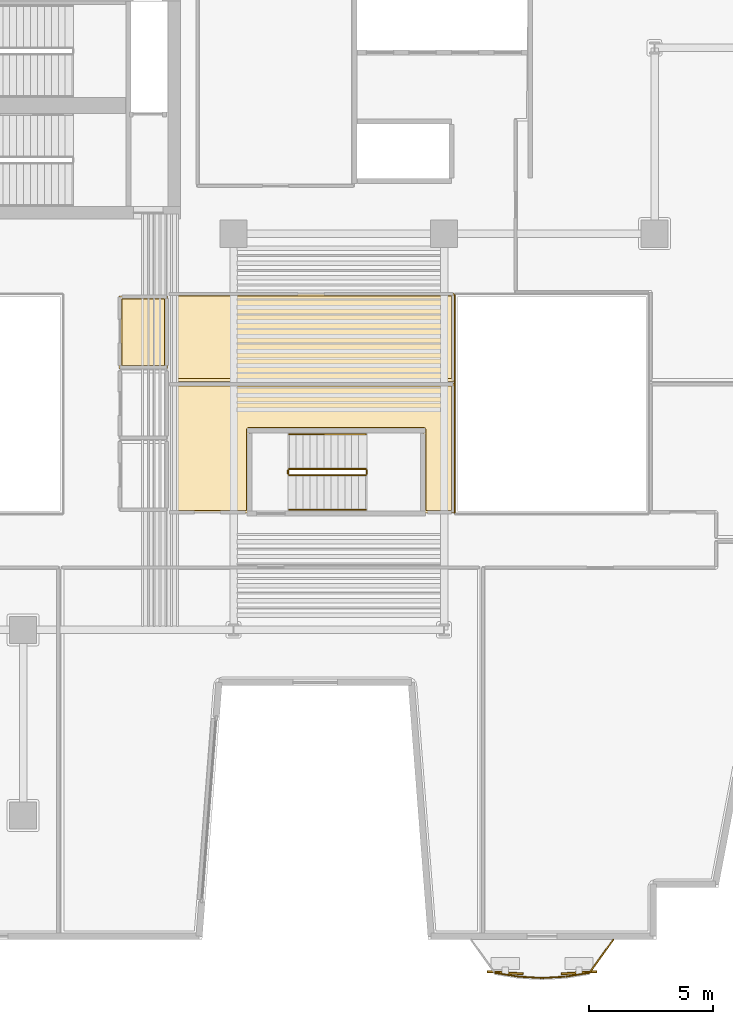
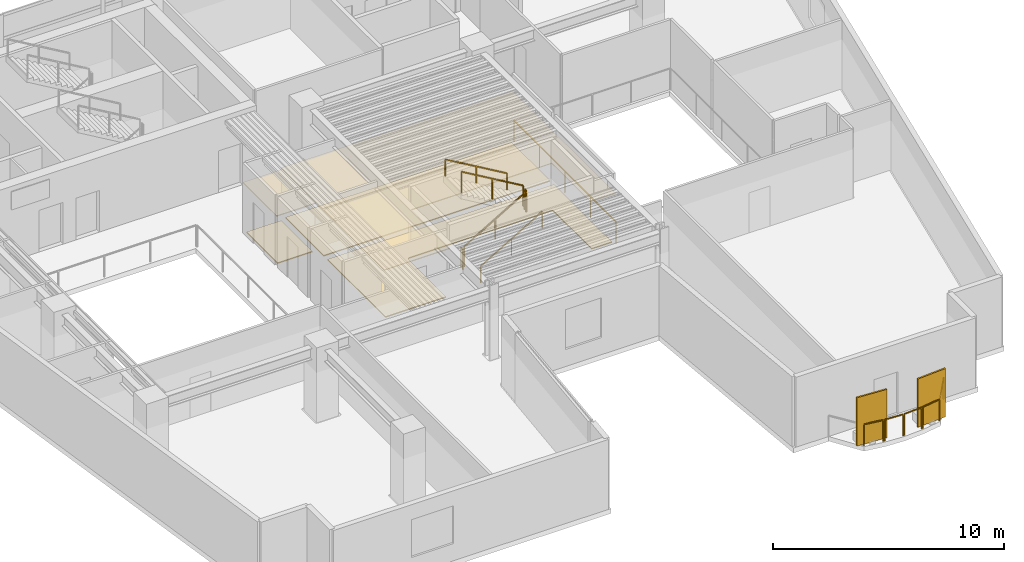
# One storey, part 10 of 13: 12 railings, 6 coverings, 2 shading devices.
"""IFC4 building model written with IfcOpenShell, lengths in metres."""

import ifcopenshell
import ifcopenshell.guid

model = None  # the IFC model being written
_history = None  # IfcOwnerHistory: only IFC2X3 demands one
_inside = {}  # id of a spatial element -> (the spatial element, [elements in it])
_under = {}  # id of a project, library or spatial element -> (it, [spatial elements below it])
_declared = {}  # id of a project -> (the project, [libraries it declares])
_typed = {}  # id of a type object -> (the type object, [elements of that type])
_made_of = {}  # id of a material, layer set ... -> (it, [elements and type objects made of it])


def new_model(schema):
    """Start an empty IFC model of exactly this schema.

    Asked for "IFC4X3", IfcOpenShell would pick the latest addendum, in which some entities
    have other attributes; the version numbers below select the first issue.
    IFC2X3 requires an IfcOwnerHistory on every rooted entity: one is made here for all.
    """
    global model, _history
    if schema == "IFC4X3":
        model = ifcopenshell.file(schema_version=(4, 3, 0, 0))
    else:
        model = ifcopenshell.file(schema=schema)
    _inside.clear()
    _under.clear()
    _declared.clear()
    _typed.clear()
    _made_of.clear()
    _history = None
    if model.schema == "IFC2X3":
        org = make("IfcOrganization", Name="unknown")
        user = make(
            "IfcPersonAndOrganization",
            ThePerson=make("IfcPerson", FamilyName="unknown"),
            TheOrganization=org,
        )
        app = make(
            "IfcApplication",
            ApplicationDeveloper=org,
            Version="unknown",
            ApplicationFullName="unknown",
            ApplicationIdentifier="unknown",
        )
        _history = make(
            "IfcOwnerHistory",
            OwningUser=user,
            OwningApplication=app,
            ChangeAction="ADDED",
            CreationDate=0,
        )
    return model


def make(cls, **values):
    """One entity of the class cls with the attributes given. An attribute that is None is left unset."""
    return model.create_entity(
        cls, **{name: value for name, value in values.items() if value is not None}
    )


def rooted(cls, **values):
    """An entity with a GlobalId (a new one), such as an element, a storey or a relation."""
    return make(cls, GlobalId=ifcopenshell.guid.new(), OwnerHistory=_history, **values)


def si_unit(unit_type, name, prefix=None):
    """IfcSIUnit, for example si_unit("LENGTHUNIT", "METRE", prefix="MILLI")."""
    return make("IfcSIUnit", UnitType=unit_type, Prefix=prefix, Name=name)


def assignment(units):
    """IfcUnitAssignment: the units of a project."""
    return None if units is None else make("IfcUnitAssignment", Units=units)


def point(xyz):
    """IfcCartesianPoint."""
    return None if xyz is None else make("IfcCartesianPoint", Coordinates=xyz)


def direction(xyz):
    """IfcDirection."""
    return None if xyz is None else make("IfcDirection", DirectionRatios=xyz)


def frame(location, z_axis=None, x_axis=None):
    """IfcAxis2Placement3D, a coordinate frame: its origin and axes. An axis left out is left unset."""
    return make(
        "IfcAxis2Placement3D",
        Location=point(location),
        Axis=direction(z_axis),
        RefDirection=direction(x_axis),
    )


def frame_2d(location, x_axis=None):
    """IfcAxis2Placement2D, a coordinate frame in the plane: its origin and x axis."""
    return make(
        "IfcAxis2Placement2D", Location=point(location), RefDirection=direction(x_axis)
    )


def origin():
    """The frame at (0, 0, 0) with its axes left unset."""
    return frame((0.0, 0.0, 0.0))


def origin_2d():
    """The frame at (0, 0) in the plane with its x axis left unset."""
    return frame_2d((0.0, 0.0))


def place(relative_to, where):
    """IfcLocalPlacement: puts the frame where relative to a parent placement (None: the world)."""
    return make(
        "IfcLocalPlacement", PlacementRelTo=relative_to, RelativePlacement=where
    )


def context(
    kind, dimensions, precision=None, world=None, true_north=None, identifier=None
):
    """IfcGeometricRepresentationContext, for example the 3D "Model" context."""
    return make(
        "IfcGeometricRepresentationContext",
        ContextIdentifier=identifier,
        ContextType=kind,
        CoordinateSpaceDimension=dimensions,
        Precision=precision,
        WorldCoordinateSystem=world,
        TrueNorth=true_north,
    )


def subcontext(parent, identifier, kind, view, scale=None):
    """IfcGeometricRepresentationSubContext, for example "Body" below "Model"."""
    return make(
        "IfcGeometricRepresentationSubContext",
        ContextIdentifier=identifier,
        ContextType=kind,
        ParentContext=parent,
        TargetScale=scale,
        TargetView=view,
    )


def project(units=None, contexts=None):
    """IfcProject with its units and contexts."""
    return rooted(
        "IfcProject",
        Name="project",
        RepresentationContexts=contexts,
        UnitsInContext=assignment(units),
    )


def spatial(cls, under=None, at=None, **own):
    """A site, building, storey or space (cls), placed at a placement, below another one or the project."""
    s = rooted(cls, ObjectPlacement=at, **own)
    if under is not None:
        _under.setdefault(under.id(), (under, []))[1].append(s)
    return s


def polyline(points):
    """IfcPolyline through the points."""
    return make("IfcPolyline", Points=[point(p) for p in points])


def profile(cls, at=None, kind="AREA", **sizes):
    """A parametric profile (cls). Its sizes go by their IFC names, for example OverallWidth=200.0."""
    return make(cls, ProfileType=kind, Position=at, **sizes)


def rectangle(**sizes):
    """IfcRectangleProfileDef."""
    return profile("IfcRectangleProfileDef", **sizes)


def outline(outer, holes=None, kind="AREA"):
    """IfcArbitraryClosedProfileDef: a profile drawn as a closed curve; with holes, ...WithVoids."""
    if holes is None:
        return make("IfcArbitraryClosedProfileDef", ProfileType=kind, OuterCurve=outer)
    return make(
        "IfcArbitraryProfileDefWithVoids",
        ProfileType=kind,
        OuterCurve=outer,
        InnerCurves=holes,
    )


def extrude(swept, where, along, depth):
    """IfcExtrudedAreaSolid: the profile swept, set in the frame where, extruded along a direction by depth."""
    return make(
        "IfcExtrudedAreaSolid",
        SweptArea=swept,
        Position=where,
        ExtrudedDirection=direction(along),
        Depth=depth,
    )


def shape(context_of_items, identifier, shape_type, items):
    """IfcShapeRepresentation: the items that make up one representation, for example the "Body"."""
    return make(
        "IfcShapeRepresentation",
        ContextOfItems=context_of_items,
        RepresentationIdentifier=identifier,
        RepresentationType=shape_type,
        Items=items,
    )


def material(Name=None, Category=None):
    """IfcMaterial."""
    return make("IfcMaterial", Name=Name, Category=Category)


def layer(
    of_material, thickness, ventilated=None, Name=None, Category=None, Priority=None
):
    """IfcMaterialLayer: one layer of a wall or slab, of a material (None: an air gap)."""
    return make(
        "IfcMaterialLayer",
        Material=of_material,
        LayerThickness=thickness,
        IsVentilated=ventilated,
        Name=Name,
        Category=Category,
        Priority=Priority,
    )


def layer_set(layers, Name=None):
    """IfcMaterialLayerSet."""
    return make("IfcMaterialLayerSet", MaterialLayers=layers, LayerSetName=Name)


def made_of(thing, what):
    """Note that an element or type object is made of a material, layer set ...; save() writes the relation."""
    if what is not None:
        _made_of.setdefault(what.id(), (what, []))[1].append(thing)
    return thing


def type_object(cls, material=None, **own):
    """A type object (cls), such as IfcWallType, which elements share."""
    return made_of(rooted(cls, **own), material)


def element(
    cls,
    number,
    at=None,
    inside=None,
    cuts=None,
    type_object=None,
    material=None,
    context=None,
    identifier="Body",
    shape_type=None,
    held_by="IfcProductDefinitionShape",
    body=None,
    shapes=None,
    **own,
):
    """One element of the class cls, such as IfcWall. Its Tag is "e" and its number.

    at: its placement. inside: the storey or other place that contains it. cuts: it is an
    opening in that element (IfcRelVoidsElement). A single representation is given by context,
    identifier, shape_type and body (its items); several are given by shapes. held_by: the class
    of the entity that holds the representations. save() writes the other relations.
    """
    e = rooted(cls, Tag="e%d" % number, ObjectPlacement=at, **own)
    if body is not None:
        shapes = [shape(context, identifier, shape_type, body)]
    if shapes is not None:
        e.Representation = make(held_by, Representations=shapes)
    if inside is not None:
        _inside.setdefault(inside.id(), (inside, []))[1].append(e)
    if cuts is not None:
        rooted(
            "IfcRelVoidsElement", RelatingBuildingElement=cuts, RelatedOpeningElement=e
        )
    if type_object is not None:
        _typed.setdefault(type_object.id(), (type_object, []))[1].append(e)
    return made_of(e, material)


def aggregate(whole, parts):
    """IfcRelAggregates: a whole, such as a stair, and the parts it consists of."""
    return rooted("IfcRelAggregates", RelatingObject=whole, RelatedObjects=parts)


def save(model, path):
    """Write the relations noted so far, then the file.

    IfcRelAggregates (storeys below a building ...), IfcRelContainedInSpatialStructure (elements
    in a storey), IfcRelDefinesByType, IfcRelAssociatesMaterial and IfcRelDeclares: one each for
    every whole, place, type object, material and project.
    """
    for whole, parts in _under.values():
        aggregate(whole, parts)
    for where, things in _inside.values():
        rooted(
            "IfcRelContainedInSpatialStructure",
            RelatedElements=things,
            RelatingStructure=where,
        )
    for kind, things in _typed.values():
        rooted("IfcRelDefinesByType", RelatedObjects=things, RelatingType=kind)
    for what, things in _made_of.values():
        rooted("IfcRelAssociatesMaterial", RelatedObjects=things, RelatingMaterial=what)
    for by, libraries in _declared.values():
        rooted("IfcRelDeclares", RelatingContext=by, RelatedDefinitions=libraries)
    model.write(path)


model = new_model("IFC4")

# Units and contexts
model_context = context("Model", 3, precision=1e-05, world=origin(), true_north=direction((0.0, 1.0)))
body_context = subcontext(model_context, "Body", "Model", "MODEL_VIEW")
ifc_project = project(units=[si_unit("LENGTHUNIT", "METRE"), si_unit("AREAUNIT", "SQUARE_METRE"), si_unit("VOLUMEUNIT", "CUBIC_METRE"), si_unit("PLANEANGLEUNIT", "RADIAN"), si_unit("MASSUNIT", "GRAM", prefix="KILO")], contexts=[model_context])

# Site, building, storey
site_placement = place(None, origin())
site = spatial("IfcSite", under=ifc_project, at=site_placement, CompositionType="ELEMENT")
building_placement = place(site_placement, origin())
building = spatial("IfcBuilding", under=site, at=building_placement, Name="Caeloran Harvest Quay", CompositionType="ELEMENT")
storey_placement = place(building_placement, frame((0.0, 0.0, 143.0)))
storey = spatial("IfcBuildingStorey", under=building, at=storey_placement, Name="L33", CompositionType="ELEMENT", Elevation=143.0)

# Coverings
ifc_material_1 = material(Name="Perforated Mineral-Fibre Acoustic Ceiling Tile", Category="ceiling")
ifc_layer_1 = layer(ifc_material_1, 0.0400390625, Name="Perforated Mineral-Fibre Acoustic Ceiling Tile")
ifc_layer_set_1 = layer_set([ifc_layer_1], Name="Perforated Mineral-Fibre Acoustic Ceiling Tile")
covering_type_1 = type_object("IfcCoveringType", Name="COV-CEILING-ACOUSTIC", PredefinedType="CEILING", material=ifc_layer_set_1)
covering_1_placement = place(storey_placement, frame((0.0, 0.0, 2.60009765625)))
element("IfcCovering", 1, at=covering_1_placement, inside=storey, type_object=covering_type_1, Name="L33 Male Washroom WC Acoustic Ceiling", PredefinedType="CEILING", context=body_context, shape_type="SweptSolid", body=[
    extrude(outline(polyline([(22.840087890625, 25.56005859375), (20.8701171875, 25.56005859375), (20.8701171875, 28.489990234375), (22.840087890625, 28.489990234375), (22.840087890625, 25.56005859375)])), origin(), (0.0, 0.0, 1.0), 0.039794921875),
])
covering_2_placement = place(storey_placement, frame((0.0, 0.0, 2.60009765625)))
element("IfcCovering", 2, at=covering_2_placement, inside=storey, type_object=covering_type_1, Name="Sensory Tasting Kitchen Acoustic Ceiling", PredefinedType="CEILING", context=body_context, shape_type="SweptSolid", body=[
    extrude(outline(polyline([(26.139892578125, 23.06005859375), (26.139892578125, 19.7099609375), (22.8701171875, 19.7099609375), (22.8701171875, 24.9599609375), (34.409912109375, 24.9599609375), (34.409912109375, 19.7099609375), (33.159912109375, 19.7099609375), (33.159912109375, 23.06005859375), (26.139892578125, 23.06005859375)])), origin(), (0.0, 0.0, 1.0), 0.039794921875),
])
covering_3_placement = place(storey_placement, frame((0.0, 0.0, 2.60009765625)))
element("IfcCovering", 3, at=covering_3_placement, inside=storey, type_object=covering_type_1, Name="Staff Wellness Lounge Acoustic Ceiling", PredefinedType="CEILING", context=body_context, shape_type="SweptSolid", body=[
    extrude(outline(polyline([(22.8701171875, 28.512939453125), (22.85009765625, 28.52001953125), (22.85009765625, 28.610107421875), (34.409912109375, 28.610107421875), (34.409912109375, 25.0400390625), (22.8701171875, 25.0400390625), (22.8701171875, 28.512939453125)])), origin(), (0.0, 0.0, 1.0), 0.039794921875),
])
ifc_material_2 = material(Name="Calcium-Sulphate Raised Access Floor and Terrazzo Finish", Category="flooring")
ifc_layer_2 = layer(ifc_material_2, 0.050048828125, Name="Calcium-Sulphate Raised Access Floor and Terrazzo Finish")
ifc_layer_set_2 = layer_set([ifc_layer_2], Name="Calcium-Sulphate Raised Access Floor and Terrazzo Finish")
covering_type_2 = type_object("IfcCoveringType", Name="COV-FLOOR-RAISED", PredefinedType="FLOORING", material=ifc_layer_set_2)
covering_4_placement = place(storey_placement, origin())
element("IfcCovering", 4, at=covering_4_placement, inside=storey, type_object=covering_type_2, Name="L33 Male Washroom WC Raised Finish Flooring", PredefinedType="FLOORING", context=body_context, shape_type="SweptSolid", body=[
    extrude(outline(polyline([(22.719970703125, 25.679931640625), (20.989990234375, 25.679931640625), (20.989990234375, 28.3701171875), (22.719970703125, 28.3701171875), (22.719970703125, 25.679931640625)])), origin(), (0.0, 0.0, 1.0), 0.050048828125),
])
covering_5_placement = place(storey_placement, origin())
element("IfcCovering", 5, at=covering_5_placement, inside=storey, type_object=covering_type_2, Name="Sensory Tasting Kitchen Raised Finish Flooring", PredefinedType="FLOORING", context=body_context, shape_type="SweptSolid", body=[
    extrude(outline(polyline([(33.27978515625, 23.076904296875), (33.244873046875, 23.150390625), (33.169921875, 23.179931640625), (26.09423828125, 23.174072265625), (26.040771484375, 23.13427734375), (26.02001953125, 23.070068359375), (26.02001953125, 19.830078125), (22.989990234375, 19.830078125), (22.989990234375, 24.840087890625), (34.2900390625, 24.840087890625), (34.2900390625, 19.830078125), (33.280029296875, 19.830078125), (33.27978515625, 23.076904296875)])), origin(), (0.0, 0.0, 1.0), 0.050048828125),
])
covering_6_placement = place(storey_placement, origin())
element("IfcCovering", 6, at=covering_6_placement, inside=storey, type_object=covering_type_2, Name="Staff Wellness Lounge Raised Finish Flooring", PredefinedType="FLOORING", context=body_context, shape_type="SweptSolid", body=[
    extrude(outline(polyline([(22.989990234375, 28.489990234375), (34.2900390625, 28.489990234375), (34.2900390625, 25.159912109375), (22.989990234375, 25.159912109375), (22.989990234375, 28.489990234375)])), origin(), (0.0, 0.0, 1.0), 0.050048828125),
])

# Railings
ifc_material_3 = material(Name="Powder-Coated Steel Post and Laminated Glass Guardrail", Category="steel")
ifc_layer_3 = layer(ifc_material_3, 0.06005859375, Name="Powder-Coated Steel Post and Laminated Glass Guardrail")
ifc_layer_set_3 = layer_set([ifc_layer_3], Name="Powder-Coated Steel Post and Laminated Glass Guardrail")
railing_type_1 = type_object("IfcRailingType", Name="GUARD-ATRIUM-1150", PredefinedType="GUARDRAIL", material=ifc_layer_set_3)
railing_1_placement = place(storey_placement, frame((34.429931640625, 28.5380859375, 0.0)))
element("IfcRailing", 7, at=railing_1_placement, inside=storey, type_object=railing_type_1, Name="L33 East Botanical Lightwell Guardrail Seg 4", PredefinedType="GUARDRAIL", context=body_context, shape_type="SweptSolid", body=[
    extrude(rectangle(XDim=0.048095703125, YDim=0.048095703125, at=origin_2d()), frame((0.0, 0.0, 1.1259765625), z_axis=(0.0, -1.0, 0.0), x_axis=(1.0, 0.0, 0.0)), (0.0, 0.0, 1.0), 8.826171875),
    extrude(rectangle(XDim=0.0419921875, YDim=0.0419921875, at=origin_2d()), origin(), (0.0, 0.0, 1.0), 1.101806640625),
    extrude(rectangle(XDim=0.0419921875, YDim=0.0419921875, at=origin_2d()), frame((0.0, -2.20654296875, 0.0)), (0.0, 0.0, 1.0), 1.101806640625),
    extrude(rectangle(XDim=0.0419921875, YDim=0.0419921875, at=origin_2d()), frame((0.0, -4.4130859375, 0.0)), (0.0, 0.0, 1.0), 1.101806640625),
    extrude(rectangle(XDim=0.0419921875, YDim=0.0419921875, at=origin_2d()), frame((0.0, -6.61962890625, 0.0)), (0.0, 0.0, 1.0), 1.101806640625),
    extrude(rectangle(XDim=0.0419921875, YDim=0.0419921875, at=origin_2d()), frame((0.0, -8.826171875, 0.0)), (0.0, 0.0, 1.0), 1.101806640625),
])
ifc_material_4 = material(Name="Laminated Safety Glass and Stainless Steel 316", Category="steel")
ifc_layer_4 = layer(ifc_material_4, 0.06005859375, Name="Laminated Safety Glass and Stainless Steel 316")
ifc_layer_set_4 = layer_set([ifc_layer_4], Name="Laminated Safety Glass and Stainless Steel 316")
railing_type_2 = type_object("IfcRailingType", Name="GUARD-BALUSTRADE-1150", PredefinedType="BALUSTRADE", material=ifc_layer_set_4)
railing_2_placement = place(storey_placement, frame((40.825927734375, 2.47998046875, 0.0)))
element("IfcRailing", 8, at=railing_2_placement, inside=storey, type_object=railing_type_2, Name="L33 Planted Balcony Perimeter Balustrade Guard Seg 1", PredefinedType="BALUSTRADE", context=body_context, shape_type="SweptSolid", body=[
    extrude(rectangle(XDim=0.048095703125, YDim=0.048095703125, at=origin_2d()), frame((0.0, 0.0, 1.1259765625), z_axis=(-0.583896070669, -0.811828417005, 0.0), x_axis=(0.811828417005, -0.583896070669, 0.0)), (0.0, 0.0, 1.0), 1.605712890625),
    extrude(rectangle(XDim=0.0419921875, YDim=0.0419921875, at=origin_2d()), origin(), (0.0, 0.0, 1.0), 1.101806640625),
    extrude(rectangle(XDim=0.0419921875, YDim=0.0419921875, at=origin_2d()), frame((-0.9375, -1.303466796875, 0.0)), (0.0, 0.0, 1.0), 1.101806640625),
])
railing_3_placement = place(storey_placement, frame((39.838134765625, 1.1455078125, 0.0)))
element("IfcRailing", 9, at=railing_3_placement, inside=storey, type_object=railing_type_2, Name="L33 Planted Balcony Perimeter Balustrade Guard Seg 2", PredefinedType="BALUSTRADE", context=body_context, shape_type="SweptSolid", body=[
    extrude(rectangle(XDim=0.048095703125, YDim=0.048095703125, at=origin_2d()), frame((0.0, 0.0, 1.1259765625), z_axis=(-0.987361321421, -0.158485396684, 0.0), x_axis=(0.158485396684, -0.987361321421, 0.0)), (0.0, 0.0, 1.0), 0.904296875),
    extrude(rectangle(XDim=0.0419921875, YDim=0.0419921875, at=origin_2d()), origin(), (0.0, 0.0, 1.0), 1.101806640625),
    extrude(rectangle(XDim=0.0419921875, YDim=0.0419921875, at=origin_2d()), frame((-0.892822265625, -0.143310546875, 0.0)), (0.0, 0.0, 1.0), 1.101806640625),
])
railing_4_placement = place(storey_placement, frame((38.8818359375, 0.9951171875, 0.0)))
element("IfcRailing", 10, at=railing_4_placement, inside=storey, type_object=railing_type_2, Name="L33 Planted Balcony Perimeter Balustrade Guard Seg 3", PredefinedType="BALUSTRADE", context=body_context, shape_type="SweptSolid", body=[
    extrude(rectangle(XDim=0.048095703125, YDim=0.048095703125, at=origin_2d()), frame((0.0, 0.0, 1.1259765625), z_axis=(-0.99829034714, -0.058449831543, 0.0), x_axis=(0.058449831543, -0.99829034714, 0.0)), (0.0, 0.0, 1.0), 0.893798828125),
    extrude(rectangle(XDim=0.0419921875, YDim=0.0419921875, at=origin_2d()), origin(), (0.0, 0.0, 1.0), 1.101806640625),
    extrude(rectangle(XDim=0.0419921875, YDim=0.0419921875, at=origin_2d()), frame((-0.892333984375, -0.05224609375, 0.0)), (0.0, 0.0, 1.0), 1.101806640625),
])
railing_5_placement = place(storey_placement, frame((37.925537109375, 0.94287109375, 0.0)))
element("IfcRailing", 11, at=railing_5_placement, inside=storey, type_object=railing_type_2, Name="L33 Planted Balcony Perimeter Balustrade Guard Seg 4", PredefinedType="BALUSTRADE", context=body_context, shape_type="SweptSolid", body=[
    extrude(rectangle(XDim=0.048095703125, YDim=0.048095703125, at=origin_2d()), frame((0.0, 0.0, 1.1259765625), z_axis=(-0.99829034714, 0.058449831543, 0.0), x_axis=(-0.058449831543, -0.99829034714, 0.0)), (0.0, 0.0, 1.0), 0.893798828125),
    extrude(rectangle(XDim=0.0419921875, YDim=0.0419921875, at=origin_2d()), origin(), (0.0, 0.0, 1.0), 1.101806640625),
    extrude(rectangle(XDim=0.0419921875, YDim=0.0419921875, at=origin_2d()), frame((-0.892333984375, 0.05224609375, 0.0)), (0.0, 0.0, 1.0), 1.101806640625),
])
railing_6_placement = place(storey_placement, frame((36.9697265625, 1.002197265625, 0.0)))
element("IfcRailing", 12, at=railing_6_placement, inside=storey, type_object=railing_type_2, Name="L33 Planted Balcony Perimeter Balustrade Guard Seg 5", PredefinedType="BALUSTRADE", context=body_context, shape_type="SweptSolid", body=[
    extrude(rectangle(XDim=0.048095703125, YDim=0.048095703125, at=origin_2d()), frame((0.0, 0.0, 1.1259765625), z_axis=(-0.987361321421, 0.158485396684, 0.0), x_axis=(-0.158485396684, -0.987361321421, 0.0)), (0.0, 0.0, 1.0), 0.904296875),
    extrude(rectangle(XDim=0.0419921875, YDim=0.0419921875, at=origin_2d()), origin(), (0.0, 0.0, 1.0), 1.101806640625),
    extrude(rectangle(XDim=0.0419921875, YDim=0.0419921875, at=origin_2d()), frame((-0.892822265625, 0.143310546875, 0.0)), (0.0, 0.0, 1.0), 1.101806640625),
])

# Shading devices
ifc_material_5 = material(Name="3003-H14 Perforated Powder-Coated Aluminium", Category="aluminium")
shading_device_type = type_object("IfcShadingDeviceType", Name="SHADE-SCREEN-FOLDED", PredefinedType="USERDEFINED", material=ifc_material_5)
for number, where, z_axis, x_axis, name in (
    (13, (39.44921875, 1.15478515625, 0.0751953125), (0.0, 0.0, 1.0), (0.997801468292, 0.0662739004, 0.0), "L33 Folded Facade Breathing Screen 1"),
    (14, (36.4658203125, 1.15478515625, 0.0751953125), (0.0, 0.0, 1.0), (0.997801468292, -0.0662739004, 0.0), "L33 Folded Facade Breathing Screen 2"),
):
    element("IfcShadingDevice", number, at=place(storey_placement, frame(where, z_axis=z_axis, x_axis=x_axis)), inside=storey, type_object=shading_device_type, Name=name, ObjectType="SCREEN", PredefinedType="USERDEFINED", context=body_context, shape_type="SweptSolid", body=[
        extrude(rectangle(XDim=1.449951171875, YDim=0.080078125, at=origin_2d()), origin(), (0.0, 0.0, 1.0), 2.550048828125),
    ])

# Railings
ifc_material_6 = material(Name="Painted Steel Baluster and Top-Rail Stair Guard", Category="steel")
ifc_layer_5 = layer(ifc_material_6, 0.050048828125, Name="Painted Steel Baluster and Top-Rail Stair Guard")
ifc_layer_set_5 = layer_set([ifc_layer_5], Name="Painted Steel Baluster and Top-Rail Stair Guard")
railing_type_3 = type_object("IfcRailingType", Name="STAIR-GUARD-1100", PredefinedType="GUARDRAIL", material=ifc_layer_set_5)
railing_7_placement = place(storey_placement, frame((27.75, 21.25, 0.16455078125)))
element("IfcRailing", 15, at=railing_7_placement, inside=storey, type_object=railing_type_3, Name="L33 ST-W1 stair guard 1", PredefinedType="GUARDRAIL", context=body_context, shape_type="SweptSolid", body=[
    extrude(rectangle(XDim=0.048095703125, YDim=0.048095703125, at=origin_2d()), frame((0.0, 0.0, 1.076171875), z_axis=(0.862088758681, 0.0, 0.506757310905), x_axis=(0.0, 1.0, 0.0)), (0.0, 0.0, 1.0), 3.57275390625),
    extrude(rectangle(XDim=0.0419921875, YDim=0.0419921875, at=origin_2d()), origin(), (0.0, 0.0, 1.0), 1.052001953125),
    extrude(rectangle(XDim=0.0419921875, YDim=0.0419921875, at=origin_2d()), frame((1.5400390625, 0.0, 0.9052734375)), (0.0, 0.0, 1.0), 1.052001953125),
    extrude(rectangle(XDim=0.0419921875, YDim=0.0419921875, at=origin_2d()), frame((3.080078125, 0.0, 1.810546875)), (0.0, 0.0, 1.0), 1.052001953125),
])
railing_8_placement = place(storey_placement, frame((30.8798828125, 21.300048828125, 1.97509765625)))
element("IfcRailing", 16, at=railing_8_placement, inside=storey, type_object=railing_type_3, Name="L33 ST-W1 stair guard 2", PredefinedType="GUARDRAIL", context=body_context, shape_type="SweptSolid", body=[
    extrude(rectangle(XDim=0.048095703125, YDim=0.048095703125, at=origin_2d()), frame((0.0, 0.0, 1.076171875), z_axis=(0.0, 1.0, 0.0), x_axis=(-1.0, 0.0, 0.0)), (0.0, 0.0, 1.0), 0.14990234375),
    extrude(rectangle(XDim=0.0419921875, YDim=0.0419921875, at=origin_2d()), origin(), (0.0, 0.0, 1.0), 1.052001953125),
    extrude(rectangle(XDim=0.0419921875, YDim=0.0419921875, at=origin_2d()), frame((0.0, 0.14990234375, 0.0)), (0.0, 0.0, 1.0), 1.052001953125),
])
railing_9_placement = place(storey_placement, frame((30.830078125, 21.5, 2.1396484375)))
element("IfcRailing", 17, at=railing_9_placement, inside=storey, type_object=railing_type_3, Name="L33 ST-W1 stair guard 3", PredefinedType="GUARDRAIL", context=body_context, shape_type="SweptSolid", body=[
    extrude(rectangle(XDim=0.048095703125, YDim=0.048095703125, at=origin_2d()), frame((0.0, 0.0, 1.076171875), z_axis=(-0.862118610829, 0.0, 0.506706523406), x_axis=(0.0, -1.0, 0.0)), (0.0, 0.0, 1.0), 3.57275390625),
    extrude(rectangle(XDim=0.0419921875, YDim=0.0419921875, at=origin_2d()), origin(), (0.0, 0.0, 1.0), 1.052001953125),
    extrude(rectangle(XDim=0.0419921875, YDim=0.0419921875, at=origin_2d()), frame((-1.5400390625, 0.0, 0.9052734375)), (0.0, 0.0, 1.0), 1.052001953125),
    extrude(rectangle(XDim=0.0419921875, YDim=0.0419921875, at=origin_2d()), frame((-3.080078125, 0.0, 1.810302734375)), (0.0, 0.0, 1.0), 1.052001953125),
])
railing_10_placement = place(storey_placement, frame((27.699951171875, 21.300048828125, 0.0)))
element("IfcRailing", 18, at=railing_10_placement, inside=storey, type_object=railing_type_3, Name="L33 ST-W1 stair guard 4", PredefinedType="GUARDRAIL", context=body_context, shape_type="SweptSolid", body=[
    extrude(rectangle(XDim=0.048095703125, YDim=0.048095703125, at=origin_2d()), frame((0.0, 0.0, 1.076171875), z_axis=(0.0, 1.0, 0.0), x_axis=(-1.0, 0.0, 0.0)), (0.0, 0.0, 1.0), 0.14990234375),
    extrude(rectangle(XDim=0.0419921875, YDim=0.0419921875, at=origin_2d()), origin(), (0.0, 0.0, 1.0), 1.052001953125),
    extrude(rectangle(XDim=0.0419921875, YDim=0.0419921875, at=origin_2d()), frame((0.0, 0.14990234375, 0.0)), (0.0, 0.0, 1.0), 1.052001953125),
])
ifc_material_7 = material(Name="Brushed Stainless Steel Grade 304", Category="steel")
ifc_layer_6 = layer(ifc_material_7, 0.050048828125, Name="Brushed Stainless Steel Grade 304")
ifc_layer_set_6 = layer_set([ifc_layer_6], Name="Brushed Stainless Steel Grade 304")
railing_type_4 = type_object("IfcRailingType", Name="STAIR-HANDRAIL-900", PredefinedType="HANDRAIL", material=ifc_layer_set_6)
railing_11_placement = place(storey_placement, frame((27.75, 19.85009765625, 0.16455078125)))
element("IfcRailing", 19, at=railing_11_placement, inside=storey, type_object=railing_type_4, Name="L33 ST-W1 stair handrail 1", PredefinedType="HANDRAIL", context=body_context, shape_type="SweptSolid", body=[
    extrude(rectangle(XDim=0.048095703125, YDim=0.048095703125, at=origin_2d()), frame((0.0, 0.0, 0.8759765625), z_axis=(0.862088758681, 0.0, 0.506757310905), x_axis=(0.0, 1.0, 0.0)), (0.0, 0.0, 1.0), 3.57275390625),
    extrude(rectangle(XDim=0.0419921875, YDim=0.0419921875, at=origin_2d()), origin(), (0.0, 0.0, 1.0), 0.851806640625),
    extrude(rectangle(XDim=0.0419921875, YDim=0.0419921875, at=origin_2d()), frame((1.5400390625, 0.0, 0.9052734375)), (0.0, 0.0, 1.0), 0.851806640625),
    extrude(rectangle(XDim=0.0419921875, YDim=0.0419921875, at=origin_2d()), frame((3.080078125, 0.0, 1.810546875)), (0.0, 0.0, 1.0), 0.851806640625),
])
railing_12_placement = place(storey_placement, frame((30.830078125, 22.89990234375, 2.1396484375)))
element("IfcRailing", 20, at=railing_12_placement, inside=storey, type_object=railing_type_4, Name="L33 ST-W1 stair handrail 2", PredefinedType="HANDRAIL", context=body_context, shape_type="SweptSolid", body=[
    extrude(rectangle(XDim=0.048095703125, YDim=0.048095703125, at=origin_2d()), frame((0.0, 0.0, 0.8759765625), z_axis=(-0.862118610829, 0.0, 0.506706523406), x_axis=(0.0, -1.0, 0.0)), (0.0, 0.0, 1.0), 3.57275390625),
    extrude(rectangle(XDim=0.0419921875, YDim=0.0419921875, at=origin_2d()), origin(), (0.0, 0.0, 1.0), 0.851806640625),
    extrude(rectangle(XDim=0.0419921875, YDim=0.0419921875, at=origin_2d()), frame((-1.5400390625, 0.0, 0.9052734375)), (0.0, 0.0, 1.0), 0.851806640625),
    extrude(rectangle(XDim=0.0419921875, YDim=0.0419921875, at=origin_2d()), frame((-3.080078125, 0.0, 1.810302734375)), (0.0, 0.0, 1.0), 0.851806640625),
])

save(model, "model.ifc")
